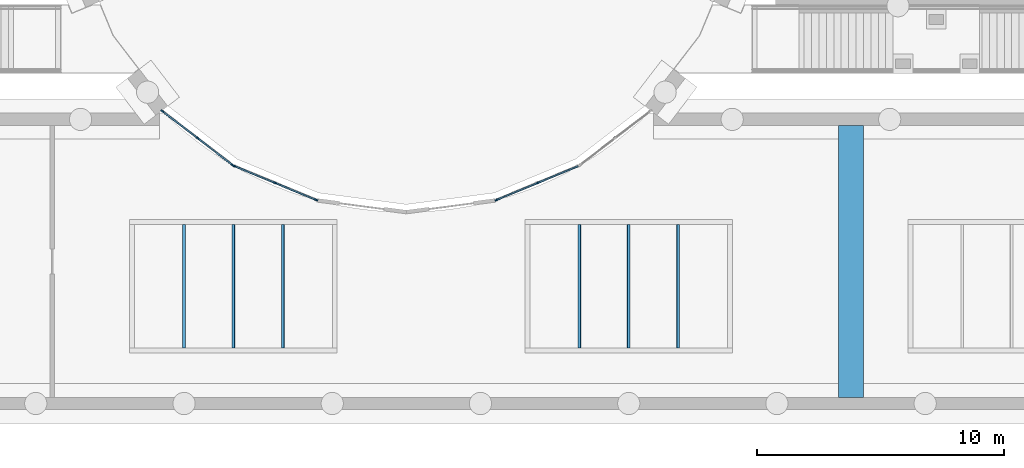
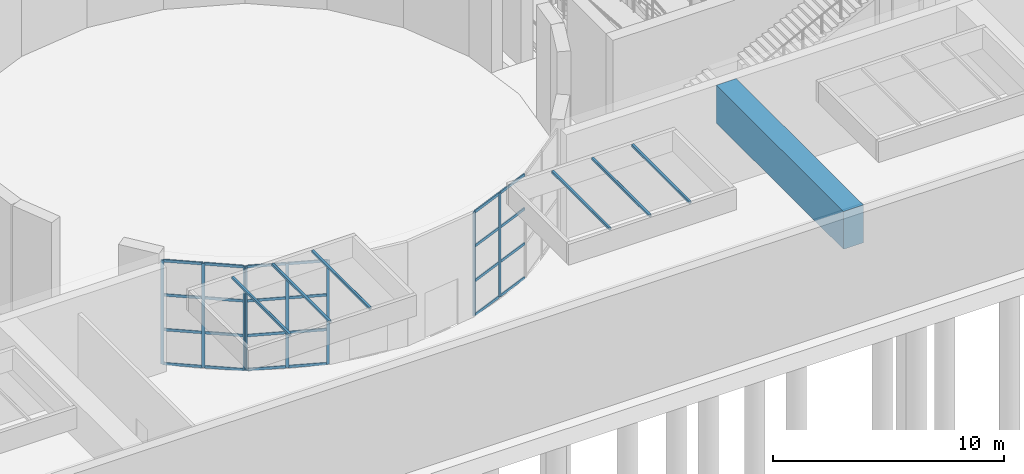
# One storey, part 13 of 66: 32 members, 7 beams, 3 elements without a shape of their own.
"""IFC4 building model written with IfcOpenShell, lengths in metres."""

from ifc_helpers import new_model, si_unit, direction, frame, origin, origin_2d, place, context, subcontext, project, spatial, rectangle, hollow_rectangle, extrude, material, layer, layer_set, material_profile, profile_set, type_object, element, aggregate, save


model = new_model("IFC4")

# Units and contexts
model_context = context("Model", 3, precision=1e-05, world=origin(), true_north=direction((0.0, 1.0)))
body_context = subcontext(model_context, "Body", "Model", "MODEL_VIEW")
ifc_project = project(units=[si_unit("LENGTHUNIT", "METRE"), si_unit("AREAUNIT", "SQUARE_METRE"), si_unit("VOLUMEUNIT", "CUBIC_METRE"), si_unit("PLANEANGLEUNIT", "RADIAN"), si_unit("MASSUNIT", "GRAM", prefix="KILO")], contexts=[model_context])

# Site, building, storey
site_placement = place(None, origin())
site = spatial("IfcSite", under=ifc_project, at=site_placement, CompositionType="ELEMENT")
building_placement = place(site_placement, origin())
building = spatial("IfcBuilding", under=site, at=building_placement, Name="Lunette Opera House", CompositionType="ELEMENT")
storey_placement = place(building_placement, frame((0.0, 0.0, -6.0)))
storey = spatial("IfcBuildingStorey", under=building, at=storey_placement, Name="B1", CompositionType="ELEMENT", Elevation=-6.0)

# Beam
ifc_material_1 = material(Name="Concrete C40/50", Category="concrete")
ifc_material_profile_1 = material_profile(ifc_material_1, rectangle(XDim=1.0, YDim=2.0, at=origin_2d()), Name="CONCOURSE GIRDER 1000X2000")
ifc_profile_set_1 = profile_set([ifc_material_profile_1], Name="Concrete C40/50")
beam_type_1 = type_object("IfcBeamType", Name="CONCOURSE GIRDER 1000X2000", PredefinedType="BEAM", material=ifc_profile_set_1)
beam_placement = place(storey_placement, frame((114.0, 4.489990234375, 4.5), z_axis=(0.0, 1.0, 0.0), x_axis=(-1.0, 0.0, 0.0)))
element("IfcBeam", 1, at=beam_placement, inside=storey, type_object=beam_type_1, Name="beam-SF-B1-CG3", PredefinedType="BEAM", context=body_context, shape_type="SweptSolid", body=[
    extrude(rectangle(XDim=1.0, YDim=2.0, at=origin_2d()), origin(), (0.0, 0.0, 1.0), 11.02001953125),
])

# Curtain wall, members
ifc_material_2 = material(Name="Aluminium", Category="aluminium")
ifc_layer = layer(ifc_material_2, 0.139892578125)
ifc_layer_set = layer_set([ifc_layer], Name="Aluminium")
curtain_wall_type = type_object("IfcCurtainWallType", Name="COURT SCREEN CURTAIN WALL", PredefinedType="NOTDEFINED", material=ifc_layer_set)
curtain_wall_1_placement = place(storey_placement, origin())
curtain_wall_1 = element("IfcCurtainWall", 2, at=curtain_wall_1_placement, inside=storey, type_object=curtain_wall_type, Name="Court Screen Curtain Wall CSCW11 B1", PredefinedType="NOTDEFINED")
ifc_material_3 = material(Name="Aluminium", Category="aluminium")
ifc_material_profile_2 = material_profile(ifc_material_3, rectangle(XDim=0.06005859375, YDim=0.139892578125, at=origin_2d()), Name="MULLION 60 X 140")
ifc_profile_set_2 = profile_set([ifc_material_profile_2], Name="Aluminium")
member_type_1 = type_object("IfcMemberType", Name="MULLION 60 X 140", PredefinedType="MULLION", material=ifc_profile_set_2)
member_1_placement = place(storey_placement, frame((101.3115234375, 13.176513671875, 0.0), z_axis=(0.0, 0.0, 1.0), x_axis=(0.38273032068, -0.923860109341, 0.0)))
member_1 = element("IfcMember", 3, at=member_1_placement, type_object=member_type_1, Name="SF-X2002 mullion 2", PredefinedType="MULLION", context=body_context, shape_type="SweptSolid", body=[
    extrude(rectangle(XDim=0.06005859375, YDim=0.139892578125, at=origin_2d()), origin(), (0.0, 0.0, 1.0), 5.5),
])
member_2_placement = place(storey_placement, frame((99.650634765625, 12.488525390625, 0.0), z_axis=(0.0, 0.0, 1.0), x_axis=(0.38273032068, -0.923860109341, 0.0)))
member_2 = element("IfcMember", 4, at=member_2_placement, type_object=member_type_1, Name="SF-X2002 mullion 3", PredefinedType="MULLION", context=body_context, shape_type="SweptSolid", body=[
    extrude(rectangle(XDim=0.06005859375, YDim=0.139892578125, at=origin_2d()), origin(), (0.0, 0.0, 1.0), 5.5),
])

curtain_wall_2_placement = place(storey_placement, origin())
curtain_wall_2 = element("IfcCurtainWall", 5, at=curtain_wall_2_placement, inside=storey, type_object=curtain_wall_type, Name="Court Screen Curtain Wall CSCW14 B1", PredefinedType="NOTDEFINED")
member_3_placement = place(storey_placement, frame((92.349365234375, 12.488525390625, 0.0), z_axis=(0.0, 0.0, 1.0), x_axis=(-0.38273032068, -0.923860109341, 0.0)))
member_3 = element("IfcMember", 6, at=member_3_placement, type_object=member_type_1, Name="SF-X2003 mullion 1", PredefinedType="MULLION", context=body_context, shape_type="SweptSolid", body=[
    extrude(rectangle(XDim=0.06005859375, YDim=0.139892578125, at=origin_2d()), origin(), (0.0, 0.0, 1.0), 5.5),
])
member_4_placement = place(storey_placement, frame((90.6884765625, 13.176513671875, 0.0), z_axis=(0.0, 0.0, 1.0), x_axis=(-0.38273032068, -0.923860109341, 0.0)))
member_4 = element("IfcMember", 7, at=member_4_placement, type_object=member_type_1, Name="SF-X2003 mullion 2", PredefinedType="MULLION", context=body_context, shape_type="SweptSolid", body=[
    extrude(rectangle(XDim=0.06005859375, YDim=0.139892578125, at=origin_2d()), origin(), (0.0, 0.0, 1.0), 5.5),
])
member_5_placement = place(storey_placement, frame((89.02783203125, 13.864501953125, 0.0), z_axis=(0.0, 0.0, 1.0), x_axis=(-0.38273032068, -0.923860109341, 0.0)))
member_5 = element("IfcMember", 8, at=member_5_placement, type_object=member_type_1, Name="SF-X2003 mullion 3", PredefinedType="MULLION", context=body_context, shape_type="SweptSolid", body=[
    extrude(rectangle(XDim=0.06005859375, YDim=0.139892578125, at=origin_2d()), origin(), (0.0, 0.0, 1.0), 5.5),
])

curtain_wall_3_placement = place(storey_placement, origin())
curtain_wall_3 = element("IfcCurtainWall", 9, at=curtain_wall_3_placement, inside=storey, type_object=curtain_wall_type, Name="Court Screen Curtain Wall CSCW15 B1", PredefinedType="NOTDEFINED")
member_6_placement = place(storey_placement, frame((88.976318359375, 13.894287109375, 0.0), z_axis=(0.0, 0.0, 1.0), x_axis=(-0.608850824277, -0.793284736887, 0.0)))
member_6 = element("IfcMember", 10, at=member_6_placement, type_object=member_type_1, Name="SF-X2004 mullion 1", PredefinedType="MULLION", context=body_context, shape_type="SweptSolid", body=[
    extrude(rectangle(XDim=0.06005859375, YDim=0.139892578125, at=origin_2d()), origin(), (0.0, 0.0, 1.0), 5.5),
])
member_7_placement = place(storey_placement, frame((87.550537109375, 14.988525390625, 0.0), z_axis=(0.0, 0.0, 1.0), x_axis=(-0.608850824277, -0.793284736887, 0.0)))
member_7 = element("IfcMember", 11, at=member_7_placement, type_object=member_type_1, Name="SF-X2004 mullion 2", PredefinedType="MULLION", context=body_context, shape_type="SweptSolid", body=[
    extrude(rectangle(XDim=0.06005859375, YDim=0.139892578125, at=origin_2d()), origin(), (0.0, 0.0, 1.0), 5.5),
])
member_8_placement = place(storey_placement, frame((86.124755859375, 16.082763671875, 0.0), z_axis=(0.0, 0.0, 1.0), x_axis=(-0.608850824277, -0.793284736887, 0.0)))
member_8 = element("IfcMember", 12, at=member_8_placement, type_object=member_type_1, Name="SF-X2004 mullion 3", PredefinedType="MULLION", context=body_context, shape_type="SweptSolid", body=[
    extrude(rectangle(XDim=0.06005859375, YDim=0.139892578125, at=origin_2d()), origin(), (0.0, 0.0, 1.0), 5.5),
])

# Beams
ifc_material_4 = material(Name="Steel S355", Category="steel")
ifc_material_profile_3 = material_profile(ifc_material_4, hollow_rectangle(XDim=0.1201171875, YDim=0.1201171875, WallThickness=0.006103515625, InnerFilletRadius=0.006103515625, OuterFilletRadius=0.011962890625, at=origin_2d()), Name="RHS 120X120X6")
ifc_profile_set_3 = profile_set([ifc_material_profile_3], Name="Steel S355")
beam_type_2 = type_object("IfcBeamType", Name="STEEL BEAM RHS 120X120X6", PredefinedType="BEAM", material=ifc_profile_set_3)
for number, where, z_axis, x_axis, name in (
    (13, (87.0, 6.5, 7.0400390625), (0.0, 1.0, 0.0), (-1.0, 0.0, 0.0), "Rooflight beam RL2 1"),
    (14, (89.0, 6.5, 7.0400390625), (0.0, 1.0, 0.0), (-1.0, 0.0, 0.0), "Rooflight beam RL2 2"),
    (15, (91.0, 6.5, 7.0400390625), (0.0, 1.0, 0.0), (-1.0, 0.0, 0.0), "Rooflight beam RL2 3"),
    (16, (103.0, 6.5, 7.0400390625), (0.0, 1.0, 0.0), (-1.0, 0.0, 0.0), "Rooflight beam RL3 1"),
    (17, (105.0, 6.5, 7.0400390625), (0.0, 1.0, 0.0), (-1.0, 0.0, 0.0), "Rooflight beam RL3 2"),
    (18, (107.0, 6.5, 7.0400390625), (0.0, 1.0, 0.0), (-1.0, 0.0, 0.0), "Rooflight beam RL3 3"),
):
    element("IfcBeam", number, at=place(storey_placement, frame(where, z_axis=z_axis, x_axis=x_axis)), inside=storey, type_object=beam_type_2, Name=name, PredefinedType="BEAM", context=body_context, shape_type="SweptSolid", body=[
        extrude(hollow_rectangle(XDim=0.1201171875, YDim=0.1201171875, WallThickness=0.006103515625, InnerFilletRadius=0.006103515625, OuterFilletRadius=0.011962890625, at=origin_2d()), origin(), (0.0, 0.0, 1.0), 5.0),
    ])

# Member
ifc_material_5 = material(Name="Aluminium", Category="aluminium")
ifc_material_profile_4 = material_profile(ifc_material_5, rectangle(XDim=0.06005859375, YDim=0.139892578125, at=origin_2d()), Name="TRANSOM 60 X 140")
ifc_profile_set_4 = profile_set([ifc_material_profile_4], Name="Aluminium")
member_type_2 = type_object("IfcMemberType", Name="TRANSOM 60 X 140", PredefinedType="USERDEFINED", material=ifc_profile_set_4)
member_9_placement = place(storey_placement, frame((102.944580078125, 13.85302734375, 0.030029296875), z_axis=(-0.923872994947, -0.38269921506, 0.0), x_axis=(0.38269921506, -0.923872994947, 0.0)))
member_9 = element("IfcMember", 19, at=member_9_placement, type_object=member_type_2, Name="SF-X2002 transom 1.1", ObjectType="TRANSOM", PredefinedType="USERDEFINED", context=body_context, shape_type="SweptSolid", body=[
    extrude(rectangle(XDim=0.06005859375, YDim=0.139892578125, at=origin_2d()), origin(), (0.0, 0.0, 1.0), 1.73779296875),
])

member_10_placement = place(storey_placement, frame((102.944580078125, 13.85302734375, 1.8330078125), z_axis=(-0.923872994947, -0.38269921506, 0.0), x_axis=(0.38269921506, -0.923872994947, 0.0)))
member_10 = element("IfcMember", 20, at=member_10_placement, type_object=member_type_2, Name="SF-X2002 transom 1.2", ObjectType="TRANSOM", PredefinedType="USERDEFINED", context=body_context, shape_type="SweptSolid", body=[
    extrude(rectangle(XDim=0.06005859375, YDim=0.139892578125, at=origin_2d()), origin(), (0.0, 0.0, 1.0), 1.73779296875),
])

member_11_placement = place(storey_placement, frame((102.944580078125, 13.85302734375, 3.6669921875), z_axis=(-0.923872994947, -0.38269921506, 0.0), x_axis=(0.38269921506, -0.923872994947, 0.0)))
member_11 = element("IfcMember", 21, at=member_11_placement, type_object=member_type_2, Name="SF-X2002 transom 1.3", ObjectType="TRANSOM", PredefinedType="USERDEFINED", context=body_context, shape_type="SweptSolid", body=[
    extrude(rectangle(XDim=0.06005859375, YDim=0.139892578125, at=origin_2d()), origin(), (0.0, 0.0, 1.0), 1.73779296875),
])

member_12_placement = place(storey_placement, frame((102.944580078125, 13.85302734375, 5.469970703125), z_axis=(-0.923872994947, -0.38269921506, 0.0), x_axis=(0.38269921506, -0.923872994947, 0.0)))
member_12 = element("IfcMember", 22, at=member_12_placement, type_object=member_type_2, Name="SF-X2002 transom 1.4", ObjectType="TRANSOM", PredefinedType="USERDEFINED", context=body_context, shape_type="SweptSolid", body=[
    extrude(rectangle(XDim=0.06005859375, YDim=0.139892578125, at=origin_2d()), origin(), (0.0, 0.0, 1.0), 1.73779296875),
])

member_13_placement = place(storey_placement, frame((101.28369140625, 13.1650390625, 0.030029296875), z_axis=(-0.923852414719, -0.382748893946, 0.0), x_axis=(0.382748893946, -0.923852414719, 0.0)))
member_13 = element("IfcMember", 23, at=member_13_placement, type_object=member_type_2, Name="SF-X2002 transom 2.1", ObjectType="TRANSOM", PredefinedType="USERDEFINED", context=body_context, shape_type="SweptSolid", body=[
    extrude(rectangle(XDim=0.06005859375, YDim=0.139892578125, at=origin_2d()), origin(), (0.0, 0.0, 1.0), 1.737548828125),
])

member_14_placement = place(storey_placement, frame((101.28369140625, 13.1650390625, 1.8330078125), z_axis=(-0.923852414719, -0.382748893946, 0.0), x_axis=(0.382748893946, -0.923852414719, 0.0)))
member_14 = element("IfcMember", 24, at=member_14_placement, type_object=member_type_2, Name="SF-X2002 transom 2.2", ObjectType="TRANSOM", PredefinedType="USERDEFINED", context=body_context, shape_type="SweptSolid", body=[
    extrude(rectangle(XDim=0.06005859375, YDim=0.139892578125, at=origin_2d()), origin(), (0.0, 0.0, 1.0), 1.737548828125),
])

member_15_placement = place(storey_placement, frame((101.28369140625, 13.1650390625, 3.6669921875), z_axis=(-0.923852414719, -0.382748893946, 0.0), x_axis=(0.382748893946, -0.923852414719, 0.0)))
member_15 = element("IfcMember", 25, at=member_15_placement, type_object=member_type_2, Name="SF-X2002 transom 2.3", ObjectType="TRANSOM", PredefinedType="USERDEFINED", context=body_context, shape_type="SweptSolid", body=[
    extrude(rectangle(XDim=0.06005859375, YDim=0.139892578125, at=origin_2d()), origin(), (0.0, 0.0, 1.0), 1.737548828125),
])

member_16_placement = place(storey_placement, frame((101.28369140625, 13.1650390625, 5.469970703125), z_axis=(-0.923852414719, -0.382748893946, 0.0), x_axis=(0.382748893946, -0.923852414719, 0.0)))
member_16 = element("IfcMember", 26, at=member_16_placement, type_object=member_type_2, Name="SF-X2002 transom 2.4", ObjectType="TRANSOM", PredefinedType="USERDEFINED", context=body_context, shape_type="SweptSolid", body=[
    extrude(rectangle(XDim=0.06005859375, YDim=0.139892578125, at=origin_2d()), origin(), (0.0, 0.0, 1.0), 1.737548828125),
])

aggregate(curtain_wall_1, [member_1, member_2, member_9, member_10, member_11, member_12, member_13, member_14, member_15, member_16])

member_17_placement = place(storey_placement, frame((92.321533203125, 12.5, 0.030029296875), z_axis=(-0.923852414719, 0.382748893946, 0.0), x_axis=(-0.382748893946, -0.923852414719, 0.0)))
member_17 = element("IfcMember", 27, at=member_17_placement, type_object=member_type_2, Name="SF-X2003 transom 1.1", ObjectType="TRANSOM", PredefinedType="USERDEFINED", context=body_context, shape_type="SweptSolid", body=[
    extrude(rectangle(XDim=0.06005859375, YDim=0.139892578125, at=origin_2d()), origin(), (0.0, 0.0, 1.0), 1.737548828125),
])

member_18_placement = place(storey_placement, frame((92.321533203125, 12.5, 1.8330078125), z_axis=(-0.923852414719, 0.382748893946, 0.0), x_axis=(-0.382748893946, -0.923852414719, 0.0)))
member_18 = element("IfcMember", 28, at=member_18_placement, type_object=member_type_2, Name="SF-X2003 transom 1.2", ObjectType="TRANSOM", PredefinedType="USERDEFINED", context=body_context, shape_type="SweptSolid", body=[
    extrude(rectangle(XDim=0.06005859375, YDim=0.139892578125, at=origin_2d()), origin(), (0.0, 0.0, 1.0), 1.737548828125),
])

member_19_placement = place(storey_placement, frame((92.321533203125, 12.5, 3.6669921875), z_axis=(-0.923852414719, 0.382748893946, 0.0), x_axis=(-0.382748893946, -0.923852414719, 0.0)))
member_19 = element("IfcMember", 29, at=member_19_placement, type_object=member_type_2, Name="SF-X2003 transom 1.3", ObjectType="TRANSOM", PredefinedType="USERDEFINED", context=body_context, shape_type="SweptSolid", body=[
    extrude(rectangle(XDim=0.06005859375, YDim=0.139892578125, at=origin_2d()), origin(), (0.0, 0.0, 1.0), 1.737548828125),
])

member_20_placement = place(storey_placement, frame((92.321533203125, 12.5, 5.469970703125), z_axis=(-0.923852414719, 0.382748893946, 0.0), x_axis=(-0.382748893946, -0.923852414719, 0.0)))
member_20 = element("IfcMember", 30, at=member_20_placement, type_object=member_type_2, Name="SF-X2003 transom 1.4", ObjectType="TRANSOM", PredefinedType="USERDEFINED", context=body_context, shape_type="SweptSolid", body=[
    extrude(rectangle(XDim=0.06005859375, YDim=0.139892578125, at=origin_2d()), origin(), (0.0, 0.0, 1.0), 1.737548828125),
])

member_21_placement = place(storey_placement, frame((90.660888671875, 13.18798828125, 0.030029296875), z_axis=(-0.923872994947, 0.38269921506, 0.0), x_axis=(-0.38269921506, -0.923872994947, 0.0)))
member_21 = element("IfcMember", 31, at=member_21_placement, type_object=member_type_2, Name="SF-X2003 transom 2.1", ObjectType="TRANSOM", PredefinedType="USERDEFINED", context=body_context, shape_type="SweptSolid", body=[
    extrude(rectangle(XDim=0.06005859375, YDim=0.139892578125, at=origin_2d()), origin(), (0.0, 0.0, 1.0), 1.73779296875),
])

member_22_placement = place(storey_placement, frame((90.660888671875, 13.18798828125, 1.8330078125), z_axis=(-0.923872994947, 0.38269921506, 0.0), x_axis=(-0.38269921506, -0.923872994947, 0.0)))
member_22 = element("IfcMember", 32, at=member_22_placement, type_object=member_type_2, Name="SF-X2003 transom 2.2", ObjectType="TRANSOM", PredefinedType="USERDEFINED", context=body_context, shape_type="SweptSolid", body=[
    extrude(rectangle(XDim=0.06005859375, YDim=0.139892578125, at=origin_2d()), origin(), (0.0, 0.0, 1.0), 1.73779296875),
])

member_23_placement = place(storey_placement, frame((90.660888671875, 13.18798828125, 3.6669921875), z_axis=(-0.923872994947, 0.38269921506, 0.0), x_axis=(-0.38269921506, -0.923872994947, 0.0)))
member_23 = element("IfcMember", 33, at=member_23_placement, type_object=member_type_2, Name="SF-X2003 transom 2.3", ObjectType="TRANSOM", PredefinedType="USERDEFINED", context=body_context, shape_type="SweptSolid", body=[
    extrude(rectangle(XDim=0.06005859375, YDim=0.139892578125, at=origin_2d()), origin(), (0.0, 0.0, 1.0), 1.73779296875),
])

member_24_placement = place(storey_placement, frame((90.660888671875, 13.18798828125, 5.469970703125), z_axis=(-0.923872994947, 0.38269921506, 0.0), x_axis=(-0.38269921506, -0.923872994947, 0.0)))
member_24 = element("IfcMember", 34, at=member_24_placement, type_object=member_type_2, Name="SF-X2003 transom 2.4", ObjectType="TRANSOM", PredefinedType="USERDEFINED", context=body_context, shape_type="SweptSolid", body=[
    extrude(rectangle(XDim=0.06005859375, YDim=0.139892578125, at=origin_2d()), origin(), (0.0, 0.0, 1.0), 1.73779296875),
])

aggregate(curtain_wall_2, [member_3, member_4, member_5, member_17, member_18, member_19, member_20, member_21, member_22, member_23, member_24])

member_25_placement = place(storey_placement, frame((88.952392578125, 13.91259765625, 0.030029296875), z_axis=(-0.793323532504, 0.608800273305, 0.0), x_axis=(-0.608800273305, -0.793323532504, 0.0)))
member_25 = element("IfcMember", 35, at=member_25_placement, type_object=member_type_2, Name="SF-X2004 transom 1.1", ObjectType="TRANSOM", PredefinedType="USERDEFINED", context=body_context, shape_type="SweptSolid", body=[
    extrude(rectangle(XDim=0.06005859375, YDim=0.139892578125, at=origin_2d()), origin(), (0.0, 0.0, 1.0), 1.7373046875),
])

member_26_placement = place(storey_placement, frame((88.952392578125, 13.91259765625, 1.8330078125), z_axis=(-0.793323532504, 0.608800273305, 0.0), x_axis=(-0.608800273305, -0.793323532504, 0.0)))
member_26 = element("IfcMember", 36, at=member_26_placement, type_object=member_type_2, Name="SF-X2004 transom 1.2", ObjectType="TRANSOM", PredefinedType="USERDEFINED", context=body_context, shape_type="SweptSolid", body=[
    extrude(rectangle(XDim=0.06005859375, YDim=0.139892578125, at=origin_2d()), origin(), (0.0, 0.0, 1.0), 1.7373046875),
])

member_27_placement = place(storey_placement, frame((88.952392578125, 13.91259765625, 3.6669921875), z_axis=(-0.793323532504, 0.608800273305, 0.0), x_axis=(-0.608800273305, -0.793323532504, 0.0)))
member_27 = element("IfcMember", 37, at=member_27_placement, type_object=member_type_2, Name="SF-X2004 transom 1.3", ObjectType="TRANSOM", PredefinedType="USERDEFINED", context=body_context, shape_type="SweptSolid", body=[
    extrude(rectangle(XDim=0.06005859375, YDim=0.139892578125, at=origin_2d()), origin(), (0.0, 0.0, 1.0), 1.7373046875),
])

member_28_placement = place(storey_placement, frame((88.952392578125, 13.91259765625, 5.469970703125), z_axis=(-0.793323532504, 0.608800273305, 0.0), x_axis=(-0.608800273305, -0.793323532504, 0.0)))
member_28 = element("IfcMember", 38, at=member_28_placement, type_object=member_type_2, Name="SF-X2004 transom 1.4", ObjectType="TRANSOM", PredefinedType="USERDEFINED", context=body_context, shape_type="SweptSolid", body=[
    extrude(rectangle(XDim=0.06005859375, YDim=0.139892578125, at=origin_2d()), origin(), (0.0, 0.0, 1.0), 1.7373046875),
])

member_29_placement = place(storey_placement, frame((87.526611328125, 15.0068359375, 0.030029296875), z_axis=(-0.793271435985, 0.608868153913, 0.0), x_axis=(-0.608868153913, -0.793271435985, 0.0)))
member_29 = element("IfcMember", 39, at=member_29_placement, type_object=member_type_2, Name="SF-X2004 transom 2.1", ObjectType="TRANSOM", PredefinedType="USERDEFINED", context=body_context, shape_type="SweptSolid", body=[
    extrude(rectangle(XDim=0.06005859375, YDim=0.139892578125, at=origin_2d()), origin(), (0.0, 0.0, 1.0), 1.737060546875),
])

member_30_placement = place(storey_placement, frame((87.526611328125, 15.0068359375, 1.8330078125), z_axis=(-0.793271435985, 0.608868153913, 0.0), x_axis=(-0.608868153913, -0.793271435985, 0.0)))
member_30 = element("IfcMember", 40, at=member_30_placement, type_object=member_type_2, Name="SF-X2004 transom 2.2", ObjectType="TRANSOM", PredefinedType="USERDEFINED", context=body_context, shape_type="SweptSolid", body=[
    extrude(rectangle(XDim=0.06005859375, YDim=0.139892578125, at=origin_2d()), origin(), (0.0, 0.0, 1.0), 1.737060546875),
])

member_31_placement = place(storey_placement, frame((87.526611328125, 15.0068359375, 3.6669921875), z_axis=(-0.793271435985, 0.608868153913, 0.0), x_axis=(-0.608868153913, -0.793271435985, 0.0)))
member_31 = element("IfcMember", 41, at=member_31_placement, type_object=member_type_2, Name="SF-X2004 transom 2.3", ObjectType="TRANSOM", PredefinedType="USERDEFINED", context=body_context, shape_type="SweptSolid", body=[
    extrude(rectangle(XDim=0.06005859375, YDim=0.139892578125, at=origin_2d()), origin(), (0.0, 0.0, 1.0), 1.737060546875),
])

member_32_placement = place(storey_placement, frame((87.526611328125, 15.0068359375, 5.469970703125), z_axis=(-0.793271435985, 0.608868153913, 0.0), x_axis=(-0.608868153913, -0.793271435985, 0.0)))
member_32 = element("IfcMember", 42, at=member_32_placement, type_object=member_type_2, Name="SF-X2004 transom 2.4", ObjectType="TRANSOM", PredefinedType="USERDEFINED", context=body_context, shape_type="SweptSolid", body=[
    extrude(rectangle(XDim=0.06005859375, YDim=0.139892578125, at=origin_2d()), origin(), (0.0, 0.0, 1.0), 1.737060546875),
])

aggregate(curtain_wall_3, [member_6, member_7, member_8, member_25, member_26, member_27, member_28, member_29, member_30, member_31, member_32])

save(model, "model.ifc")
